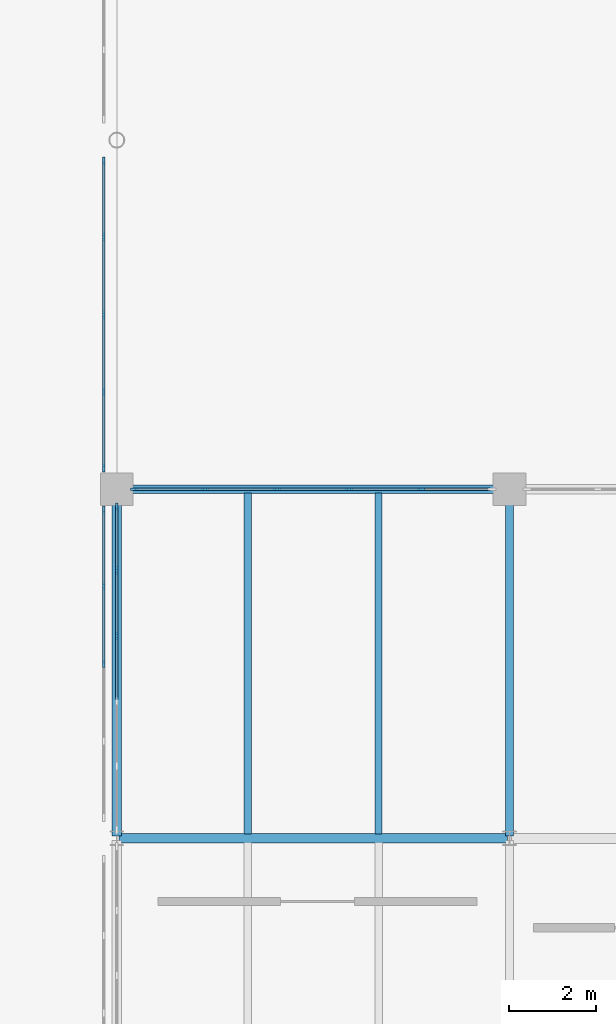
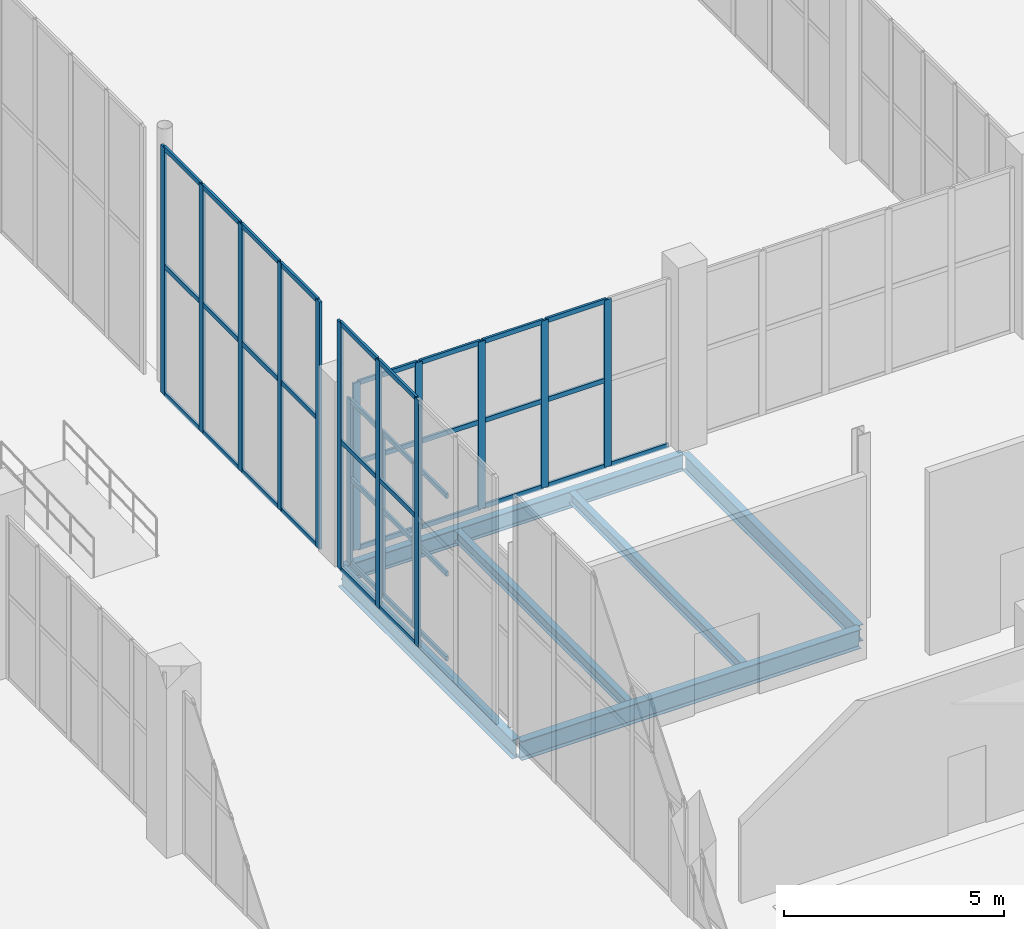
# One storey, part 45 of 103: 56 members, 6 beams, 4 elements without a shape of their own.
"""IFC4 building model written with IfcOpenShell, lengths in metres."""

from ifc_helpers import new_model, si_unit, direction, frame, origin, origin_2d, place, context, subcontext, project, spatial, rectangle, i_section, extrude, material, layer, layer_set, material_profile, profile_set, type_object, element, aggregate, save


model = new_model("IFC4")

# Units and contexts
model_context = context("Model", 3, precision=1e-05, world=origin(), true_north=direction((0.0, 1.0)))
body_context = subcontext(model_context, "Body", "Model", "MODEL_VIEW")
ifc_project = project(units=[si_unit("LENGTHUNIT", "METRE"), si_unit("AREAUNIT", "SQUARE_METRE"), si_unit("VOLUMEUNIT", "CUBIC_METRE"), si_unit("PLANEANGLEUNIT", "RADIAN"), si_unit("MASSUNIT", "GRAM", prefix="KILO")], contexts=[model_context])

# Site, building, storey
site_placement = place(None, origin())
site = spatial("IfcSite", under=ifc_project, at=site_placement, CompositionType="ELEMENT")
building_placement = place(site_placement, origin())
building = spatial("IfcBuilding", under=site, at=building_placement, Name="Marnock Terrace Opera House", CompositionType="ELEMENT")
storey_placement = place(building_placement, origin())
storey = spatial("IfcBuildingStorey", under=building, at=storey_placement, Name="L00", CompositionType="ELEMENT", Elevation=0.0)

# Beams
ifc_material_1 = material(Name="Steel Grade 350 (AS/NZS 3679.1)", Category="steel")
ifc_material_profile_1 = material_profile(ifc_material_1, i_section(OverallWidth=0.19091796875, OverallDepth=0.46044921875, WebThickness=0.010009765625, FlangeThickness=0.01611328125, FilletRadius=0.011474609375, at=origin_2d()))
ifc_profile_set_1 = profile_set([ifc_material_profile_1], Name="Steel Grade 350 (AS/NZS 3679.1)")
beam_type_1 = type_object("IfcBeamType", Name="BM-GIRD-460A", PredefinedType="BEAM", material=ifc_profile_set_1)
beam_1_placement = place(storey_placement, frame((118.050048828125, 40.0, -0.5302734375), z_axis=(1.0, 0.0, 0.0), x_axis=(0.0, 1.0, 0.0)))
element("IfcBeam", 1, at=beam_1_placement, inside=storey, type_object=beam_type_1, Name="L00 girder (118.0..127.0, Y=40.0)", PredefinedType="BEAM", context=body_context, shape_type="SweptSolid", body=[
    extrude(i_section(OverallWidth=0.19091796875, OverallDepth=0.46044921875, WebThickness=0.010009765625, FlangeThickness=0.01611328125, FilletRadius=0.011474609375, at=origin_2d()), origin(), (0.0, 0.0, 1.0), 8.89990234375),
])
ifc_material_profile_2 = material_profile(ifc_material_1, i_section(OverallWidth=0.18994140625, OverallDepth=0.45751953125, WebThickness=0.009033203125, FlangeThickness=0.014404296875, FilletRadius=0.011474609375, at=origin_2d()))
ifc_profile_set_2 = profile_set([ifc_material_profile_2], Name="Steel Grade 350 (AS/NZS 3679.1)")
beam_type_2 = type_object("IfcBeamType", Name="BM-GIRD-460B", PredefinedType="BEAM", material=ifc_profile_set_2)
beam_2_placement = place(storey_placement, frame((127.0, 32.050048828125, -0.52880859375), z_axis=(0.0, 1.0, 0.0), x_axis=(-1.0, 0.0, 0.0)))
element("IfcBeam", 2, at=beam_2_placement, inside=storey, type_object=beam_type_2, Name="L00 girder (X=127.0, 32.0..40.0)", PredefinedType="BEAM", context=body_context, shape_type="SweptSolid", body=[
    extrude(i_section(OverallWidth=0.18994140625, OverallDepth=0.45751953125, WebThickness=0.009033203125, FlangeThickness=0.014404296875, FilletRadius=0.011474609375, at=origin_2d()), origin(), (0.0, 0.0, 1.0), 7.89990234375),
])
ifc_material_profile_3 = material_profile(ifc_material_1, i_section(OverallWidth=0.208984375, OverallDepth=0.532958984375, WebThickness=0.01025390625, FlangeThickness=0.015625, FilletRadius=0.013916015625, at=origin_2d()))
ifc_profile_set_3 = profile_set([ifc_material_profile_3], Name="Steel Grade 350 (AS/NZS 3679.1)")
beam_type_3 = type_object("IfcBeamType", Name="BM-GIRD-530A", PredefinedType="BEAM", material=ifc_profile_set_3)
beam_3_placement = place(storey_placement, frame((118.050048828125, 32.0, -0.56640625), z_axis=(1.0, 0.0, 0.0), x_axis=(0.0, 1.0, 0.0)))
element("IfcBeam", 3, at=beam_3_placement, inside=storey, type_object=beam_type_3, Name="L00 girder (118.0..127.0, Y=32.0)", PredefinedType="BEAM", context=body_context, shape_type="SweptSolid", body=[
    extrude(i_section(OverallWidth=0.208984375, OverallDepth=0.532958984375, WebThickness=0.01025390625, FlangeThickness=0.015625, FilletRadius=0.013916015625, at=origin_2d()), origin(), (0.0, 0.0, 1.0), 8.89990234375),
])
ifc_material_profile_4 = material_profile(ifc_material_1, i_section(OverallWidth=0.208984375, OverallDepth=0.528076171875, WebThickness=0.009521484375, FlangeThickness=0.01318359375, FilletRadius=0.013916015625, at=origin_2d()))
ifc_profile_set_4 = profile_set([ifc_material_profile_4], Name="Steel Grade 350 (AS/NZS 3679.1)")
beam_type_4 = type_object("IfcBeamType", Name="BM-GIRD-530B", PredefinedType="BEAM", material=ifc_profile_set_4)
beam_4_placement = place(storey_placement, frame((118.0, 32.050048828125, -0.56396484375), z_axis=(0.0, 1.0, 0.0), x_axis=(-1.0, 0.0, 0.0)))
element("IfcBeam", 4, at=beam_4_placement, inside=storey, type_object=beam_type_4, Name="L00 girder (X=118.0, 32.0..40.0)", PredefinedType="BEAM", context=body_context, shape_type="SweptSolid", body=[
    extrude(i_section(OverallWidth=0.208984375, OverallDepth=0.528076171875, WebThickness=0.009521484375, FlangeThickness=0.01318359375, FilletRadius=0.013916015625, at=origin_2d()), origin(), (0.0, 0.0, 1.0), 7.89990234375),
])
ifc_material_profile_5 = material_profile(ifc_material_1, i_section(OverallWidth=0.166015625, OverallDepth=0.30712890625, WebThickness=0.006591796875, FlangeThickness=0.01171875, FilletRadius=0.011474609375, at=origin_2d()))
ifc_profile_set_5 = profile_set([ifc_material_profile_5], Name="Steel Grade 350 (AS/NZS 3679.1)")
beam_type_5 = type_object("IfcBeamType", Name="BM-JOIST-310A", PredefinedType="JOIST", material=ifc_profile_set_5)
for number, where, z_axis, x_axis, name in (
    (5, (121.0, 32.099609375, -0.45361328125), (0.0, 1.0, 0.0), (-1.0, 0.0, 0.0), "L00 secondary joist 13.4.1"),
    (6, (124.0, 32.099609375, -0.45361328125), (0.0, 1.0, 0.0), (-1.0, 0.0, 0.0), "L00 secondary joist 13.4.2"),
):
    element("IfcBeam", number, at=place(storey_placement, frame(where, z_axis=z_axis, x_axis=x_axis)), inside=storey, type_object=beam_type_5, Name=name, PredefinedType="JOIST", context=body_context, shape_type="SweptSolid", body=[
        extrude(i_section(OverallWidth=0.166015625, OverallDepth=0.30712890625, WebThickness=0.006591796875, FlangeThickness=0.01171875, FilletRadius=0.011474609375, at=origin_2d()), origin(), (0.0, 0.0, 1.0), 7.809814453125),
    ])

# Curtain wall, members
ifc_material_2 = material(Name="Anodised architectural bronze aluminium framing", Category="aluminium")
ifc_layer_1 = layer(ifc_material_2, 0.159912109375)
ifc_layer_set_1 = layer_set([ifc_layer_1], Name="Anodised architectural bronze aluminium framing")
curtain_wall_type_1 = type_object("IfcCurtainWallType", Name="CW-LOGGIA-86x51", PredefinedType="NOTDEFINED", material=ifc_layer_set_1)
curtain_wall_1_placement = place(storey_placement, origin())
curtain_wall_1 = element("IfcCurtainWall", 7, at=curtain_wall_1_placement, inside=storey, type_object=curtain_wall_type_1, Name="L00 glazed Beaux-Arts colonnade curtain wall CW-V5-L00-W4", PredefinedType="NOTDEFINED")
ifc_material_profile_6 = material_profile(ifc_material_2, rectangle(XDim=0.06494140625, YDim=0.179931640625, at=origin_2d()))
ifc_profile_set_6 = profile_set([ifc_material_profile_6], Name="Anodised architectural bronze aluminium framing")
member_type_1 = type_object("IfcMemberType", Name="CWM-65x180", PredefinedType="MULLION", material=ifc_profile_set_6)
member_1_placement = place(storey_placement, frame((118.0, 36.641357421875, 0.0), z_axis=(0.0, 0.0, 1.0), x_axis=(-1.0, 0.0, 0.0)))
member_1 = element("IfcMember", 8, at=member_1_placement, type_object=member_type_1, Name="CW-96 mullion 4", PredefinedType="MULLION", context=body_context, shape_type="SweptSolid", body=[
    extrude(rectangle(XDim=0.06494140625, YDim=0.179931640625, at=origin_2d()), origin(), (0.0, 0.0, 1.0), 4.56201171875),
])
member_2_placement = place(storey_placement, frame((118.0, 38.135009765625, 0.0), z_axis=(0.0, 0.0, 1.0), x_axis=(-1.0, 0.0, 0.0)))
member_2 = element("IfcMember", 9, at=member_2_placement, type_object=member_type_1, Name="CW-96 mullion 5", PredefinedType="MULLION", context=body_context, shape_type="SweptSolid", body=[
    extrude(rectangle(XDim=0.06494140625, YDim=0.179931640625, at=origin_2d()), origin(), (0.0, 0.0, 1.0), 4.56201171875),
])
member_3_placement = place(storey_placement, frame((118.0, 39.59912109375, 0.0), z_axis=(0.0, 0.0, 1.0), x_axis=(-1.0, 0.0, 0.0)))
member_3 = element("IfcMember", 10, at=member_3_placement, type_object=member_type_1, Name="CW-96 mullion 6", PredefinedType="MULLION", context=body_context, shape_type="SweptSolid", body=[
    extrude(rectangle(XDim=0.06494140625, YDim=0.179931640625, at=origin_2d()), origin(), (0.0, 0.0, 1.0), 4.56201171875),
])

curtain_wall_2_placement = place(storey_placement, origin())
curtain_wall_2 = element("IfcCurtainWall", 11, at=curtain_wall_2_placement, inside=storey, type_object=curtain_wall_type_1, Name="L00 glazed Beaux-Arts colonnade curtain wall CW-V5-L00-CS1", PredefinedType="NOTDEFINED")
member_4_placement = place(storey_placement, frame((118.40087890625, 40.0, 0.0), z_axis=(0.0, 0.0, 1.0), x_axis=(0.0, 1.0, 0.0)))
member_4 = element("IfcMember", 12, at=member_4_placement, type_object=member_type_1, Name="CW-96 mullion 1", PredefinedType="MULLION", context=body_context, shape_type="SweptSolid", body=[
    extrude(rectangle(XDim=0.06494140625, YDim=0.179931640625, at=origin_2d()), origin(), (0.0, 0.0, 1.0), 4.629638671875),
])
member_5_placement = place(storey_placement, frame((120.022705078125, 40.0, 0.0), z_axis=(0.0, 0.0, 1.0), x_axis=(0.0, 1.0, 0.0)))
member_5 = element("IfcMember", 13, at=member_5_placement, type_object=member_type_1, Name="CW-96 mullion 2", PredefinedType="MULLION", context=body_context, shape_type="SweptSolid", body=[
    extrude(rectangle(XDim=0.06494140625, YDim=0.179931640625, at=origin_2d()), origin(), (0.0, 0.0, 1.0), 4.629638671875),
])
member_6_placement = place(storey_placement, frame((121.67431640625, 40.0, 0.0), z_axis=(0.0, 0.0, 1.0), x_axis=(0.0, 1.0, 0.0)))
member_6 = element("IfcMember", 14, at=member_6_placement, type_object=member_type_1, Name="CW-96 mullion 3", PredefinedType="MULLION", context=body_context, shape_type="SweptSolid", body=[
    extrude(rectangle(XDim=0.06494140625, YDim=0.179931640625, at=origin_2d()), origin(), (0.0, 0.0, 1.0), 4.629638671875),
])
member_7_placement = place(storey_placement, frame((123.32568359375, 40.0, 0.0), z_axis=(0.0, 0.0, 1.0), x_axis=(0.0, 1.0, 0.0)))
member_7 = element("IfcMember", 15, at=member_7_placement, type_object=member_type_1, Name="CW-96 mullion 4", PredefinedType="MULLION", context=body_context, shape_type="SweptSolid", body=[
    extrude(rectangle(XDim=0.06494140625, YDim=0.179931640625, at=origin_2d()), origin(), (0.0, 0.0, 1.0), 4.629638671875),
])
member_8_placement = place(storey_placement, frame((124.977294921875, 40.0, 0.0), z_axis=(0.0, 0.0, 1.0), x_axis=(0.0, 1.0, 0.0)))
member_8 = element("IfcMember", 16, at=member_8_placement, type_object=member_type_1, Name="CW-96 mullion 5", PredefinedType="MULLION", context=body_context, shape_type="SweptSolid", body=[
    extrude(rectangle(XDim=0.06494140625, YDim=0.179931640625, at=origin_2d()), origin(), (0.0, 0.0, 1.0), 4.629638671875),
])

ifc_layer_2 = layer(ifc_material_2, 0.159912109375)
ifc_layer_set_2 = layer_set([ifc_layer_2], Name="Anodised architectural bronze aluminium framing")
curtain_wall_type_2 = type_object("IfcCurtainWallType", Name="CW-PASSAGE-71x68", PredefinedType="NOTDEFINED", material=ifc_layer_set_2)
curtain_wall_3_placement = place(storey_placement, origin())
curtain_wall_3 = element("IfcCurtainWall", 17, at=curtain_wall_3_placement, inside=storey, type_object=curtain_wall_type_2, Name="L00 glazed Beaux-Arts colonnade curtain wall CW-PASSAGE-L00-04", PredefinedType="NOTDEFINED")
member_9_placement = place(storey_placement, frame((117.699951171875, 36.0, 0.0), z_axis=(0.0, 0.0, 1.0), x_axis=(-1.0, 0.0, 0.0)))
member_9 = element("IfcMember", 18, at=member_9_placement, type_object=member_type_1, Name="CW-33 mullion 3", PredefinedType="MULLION", context=body_context, shape_type="SweptSolid", body=[
    extrude(rectangle(XDim=0.06494140625, YDim=0.179931640625, at=origin_2d()), origin(), (0.0, 0.0, 1.0), 6.85009765625),
])
member_10_placement = place(storey_placement, frame((117.699951171875, 37.77490234375, 0.0), z_axis=(0.0, 0.0, 1.0), x_axis=(-1.0, 0.0, 0.0)))
member_10 = element("IfcMember", 19, at=member_10_placement, type_object=member_type_1, Name="CW-33 mullion 4", PredefinedType="MULLION", context=body_context, shape_type="SweptSolid", body=[
    extrude(rectangle(XDim=0.06494140625, YDim=0.179931640625, at=origin_2d()), origin(), (0.0, 0.0, 1.0), 6.85009765625),
])
member_11_placement = place(storey_placement, frame((117.699951171875, 39.52001953125, 0.0), z_axis=(0.0, 0.0, 1.0), x_axis=(-1.0, 0.0, 0.0)))
member_11 = element("IfcMember", 20, at=member_11_placement, type_object=member_type_1, Name="CW-33 mullion 5", PredefinedType="MULLION", context=body_context, shape_type="SweptSolid", body=[
    extrude(rectangle(XDim=0.06494140625, YDim=0.179931640625, at=origin_2d()), origin(), (0.0, 0.0, 1.0), 6.85009765625),
])

curtain_wall_4_placement = place(storey_placement, origin())
curtain_wall_4 = element("IfcCurtainWall", 21, at=curtain_wall_4_placement, inside=storey, type_object=curtain_wall_type_2, Name="L00 glazed Beaux-Arts colonnade curtain wall CW-PASSAGE-L00-05", PredefinedType="NOTDEFINED")
member_12_placement = place(storey_placement, frame((117.699951171875, 40.47998046875, 0.0), z_axis=(0.0, 0.0, 1.0), x_axis=(-1.0, 0.0, 0.0)))
member_12 = element("IfcMember", 22, at=member_12_placement, type_object=member_type_1, Name="CW-33 mullion 1", PredefinedType="MULLION", context=body_context, shape_type="SweptSolid", body=[
    extrude(rectangle(XDim=0.06494140625, YDim=0.179931640625, at=origin_2d()), origin(), (0.0, 0.0, 1.0), 6.85009765625),
])
member_13_placement = place(storey_placement, frame((117.699951171875, 42.22509765625, 0.0), z_axis=(0.0, 0.0, 1.0), x_axis=(-1.0, 0.0, 0.0)))
member_13 = element("IfcMember", 23, at=member_13_placement, type_object=member_type_1, Name="CW-33 mullion 2", PredefinedType="MULLION", context=body_context, shape_type="SweptSolid", body=[
    extrude(rectangle(XDim=0.06494140625, YDim=0.179931640625, at=origin_2d()), origin(), (0.0, 0.0, 1.0), 6.85009765625),
])
member_14_placement = place(storey_placement, frame((117.699951171875, 44.0, 0.0), z_axis=(0.0, 0.0, 1.0), x_axis=(-1.0, 0.0, 0.0)))
member_14 = element("IfcMember", 24, at=member_14_placement, type_object=member_type_1, Name="CW-33 mullion 3", PredefinedType="MULLION", context=body_context, shape_type="SweptSolid", body=[
    extrude(rectangle(XDim=0.06494140625, YDim=0.179931640625, at=origin_2d()), origin(), (0.0, 0.0, 1.0), 6.85009765625),
])
member_15_placement = place(storey_placement, frame((117.699951171875, 45.77490234375, 0.0), z_axis=(0.0, 0.0, 1.0), x_axis=(-1.0, 0.0, 0.0)))
member_15 = element("IfcMember", 25, at=member_15_placement, type_object=member_type_1, Name="CW-33 mullion 4", PredefinedType="MULLION", context=body_context, shape_type="SweptSolid", body=[
    extrude(rectangle(XDim=0.06494140625, YDim=0.179931640625, at=origin_2d()), origin(), (0.0, 0.0, 1.0), 6.85009765625),
])
member_16_placement = place(storey_placement, frame((117.699951171875, 47.52001953125, 0.0), z_axis=(0.0, 0.0, 1.0), x_axis=(-1.0, 0.0, 0.0)))
member_16 = element("IfcMember", 26, at=member_16_placement, type_object=member_type_1, Name="CW-33 mullion 5", PredefinedType="MULLION", context=body_context, shape_type="SweptSolid", body=[
    extrude(rectangle(XDim=0.06494140625, YDim=0.179931640625, at=origin_2d()), origin(), (0.0, 0.0, 1.0), 6.85009765625),
])

# Member
ifc_material_profile_7 = material_profile(ifc_material_2, rectangle(XDim=0.06005859375, YDim=0.1298828125, at=origin_2d()))
ifc_profile_set_7 = profile_set([ifc_material_profile_7], Name="Anodised architectural bronze aluminium framing")
member_type_2 = type_object("IfcMemberType", Name="CWT-60x130", PredefinedType="USERDEFINED", material=ifc_profile_set_7)
member_17_placement = place(storey_placement, frame((118.0, 35.17724609375, 0.030029296875), z_axis=(0.0, 1.0, 0.0), x_axis=(-1.0, 0.0, 0.0)))
member_17 = element("IfcMember", 27, at=member_17_placement, type_object=member_type_2, Name="CW-96 transom 3.1", ObjectType="TRANSOM", PredefinedType="USERDEFINED", context=body_context, shape_type="SweptSolid", body=[
    extrude(rectangle(XDim=0.06005859375, YDim=0.1298828125, at=origin_2d()), origin(), (0.0, 0.0, 1.0), 1.43408203125),
])

member_18_placement = place(storey_placement, frame((118.0, 35.17724609375, 2.372314453125), z_axis=(0.0, 1.0, 0.0), x_axis=(-1.0, 0.0, 0.0)))
member_18 = element("IfcMember", 28, at=member_18_placement, type_object=member_type_2, Name="CW-96 transom 3.2", ObjectType="TRANSOM", PredefinedType="USERDEFINED", context=body_context, shape_type="SweptSolid", body=[
    extrude(rectangle(XDim=0.06005859375, YDim=0.1298828125, at=origin_2d()), origin(), (0.0, 0.0, 1.0), 1.43408203125),
])

member_19_placement = place(storey_placement, frame((118.0, 35.17724609375, 4.531982421875), z_axis=(0.0, 1.0, 0.0), x_axis=(-1.0, 0.0, 0.0)))
member_19 = element("IfcMember", 29, at=member_19_placement, type_object=member_type_2, Name="CW-96 transom 3.3", ObjectType="TRANSOM", PredefinedType="USERDEFINED", context=body_context, shape_type="SweptSolid", body=[
    extrude(rectangle(XDim=0.06005859375, YDim=0.1298828125, at=origin_2d()), origin(), (0.0, 0.0, 1.0), 1.43408203125),
])

member_20_placement = place(storey_placement, frame((118.0, 36.671142578125, 0.030029296875), z_axis=(0.0, 1.0, 0.0), x_axis=(-1.0, 0.0, 0.0)))
member_20 = element("IfcMember", 30, at=member_20_placement, type_object=member_type_2, Name="CW-96 transom 4.1", ObjectType="TRANSOM", PredefinedType="USERDEFINED", context=body_context, shape_type="SweptSolid", body=[
    extrude(rectangle(XDim=0.06005859375, YDim=0.1298828125, at=origin_2d()), origin(), (0.0, 0.0, 1.0), 1.43408203125),
])

member_21_placement = place(storey_placement, frame((118.0, 36.671142578125, 2.372314453125), z_axis=(0.0, 1.0, 0.0), x_axis=(-1.0, 0.0, 0.0)))
member_21 = element("IfcMember", 31, at=member_21_placement, type_object=member_type_2, Name="CW-96 transom 4.2", ObjectType="TRANSOM", PredefinedType="USERDEFINED", context=body_context, shape_type="SweptSolid", body=[
    extrude(rectangle(XDim=0.06005859375, YDim=0.1298828125, at=origin_2d()), origin(), (0.0, 0.0, 1.0), 1.43408203125),
])

member_22_placement = place(storey_placement, frame((118.0, 36.671142578125, 4.531982421875), z_axis=(0.0, 1.0, 0.0), x_axis=(-1.0, 0.0, 0.0)))
member_22 = element("IfcMember", 32, at=member_22_placement, type_object=member_type_2, Name="CW-96 transom 4.3", ObjectType="TRANSOM", PredefinedType="USERDEFINED", context=body_context, shape_type="SweptSolid", body=[
    extrude(rectangle(XDim=0.06005859375, YDim=0.1298828125, at=origin_2d()), origin(), (0.0, 0.0, 1.0), 1.43408203125),
])

member_23_placement = place(storey_placement, frame((118.0, 38.1650390625, 0.030029296875), z_axis=(0.0, 1.0, 0.0), x_axis=(-1.0, 0.0, 0.0)))
member_23 = element("IfcMember", 33, at=member_23_placement, type_object=member_type_2, Name="CW-96 transom 5.1", ObjectType="TRANSOM", PredefinedType="USERDEFINED", context=body_context, shape_type="SweptSolid", body=[
    extrude(rectangle(XDim=0.06005859375, YDim=0.1298828125, at=origin_2d()), origin(), (0.0, 0.0, 1.0), 1.404052734375),
])

member_24_placement = place(storey_placement, frame((118.0, 38.1650390625, 2.372314453125), z_axis=(0.0, 1.0, 0.0), x_axis=(-1.0, 0.0, 0.0)))
member_24 = element("IfcMember", 34, at=member_24_placement, type_object=member_type_2, Name="CW-96 transom 5.2", ObjectType="TRANSOM", PredefinedType="USERDEFINED", context=body_context, shape_type="SweptSolid", body=[
    extrude(rectangle(XDim=0.06005859375, YDim=0.1298828125, at=origin_2d()), origin(), (0.0, 0.0, 1.0), 1.404052734375),
])

member_25_placement = place(storey_placement, frame((118.0, 38.1650390625, 4.531982421875), z_axis=(0.0, 1.0, 0.0), x_axis=(-1.0, 0.0, 0.0)))
member_25 = element("IfcMember", 35, at=member_25_placement, type_object=member_type_2, Name="CW-96 transom 5.3", ObjectType="TRANSOM", PredefinedType="USERDEFINED", context=body_context, shape_type="SweptSolid", body=[
    extrude(rectangle(XDim=0.06005859375, YDim=0.1298828125, at=origin_2d()), origin(), (0.0, 0.0, 1.0), 1.404052734375),
])

aggregate(curtain_wall_1, [member_1, member_2, member_3, member_17, member_18, member_19, member_20, member_21, member_22, member_23, member_24, member_25])

member_26_placement = place(storey_placement, frame((118.430908203125, 40.0, 0.030029296875), z_axis=(1.0, 0.0, 0.0), x_axis=(0.0, 1.0, 0.0)))
member_26 = element("IfcMember", 36, at=member_26_placement, type_object=member_type_2, Name="CW-96 transom 1.1", ObjectType="TRANSOM", PredefinedType="USERDEFINED", context=body_context, shape_type="SweptSolid", body=[
    extrude(rectangle(XDim=0.06005859375, YDim=0.1298828125, at=origin_2d()), origin(), (0.0, 0.0, 1.0), 1.561767578125),
])

member_27_placement = place(storey_placement, frame((118.430908203125, 40.0, 2.407470703125), z_axis=(1.0, 0.0, 0.0), x_axis=(0.0, 1.0, 0.0)))
member_27 = element("IfcMember", 37, at=member_27_placement, type_object=member_type_2, Name="CW-96 transom 1.2", ObjectType="TRANSOM", PredefinedType="USERDEFINED", context=body_context, shape_type="SweptSolid", body=[
    extrude(rectangle(XDim=0.06005859375, YDim=0.1298828125, at=origin_2d()), origin(), (0.0, 0.0, 1.0), 1.561767578125),
])

member_28_placement = place(storey_placement, frame((118.430908203125, 40.0, 4.599609375), z_axis=(1.0, 0.0, 0.0), x_axis=(0.0, 1.0, 0.0)))
member_28 = element("IfcMember", 38, at=member_28_placement, type_object=member_type_2, Name="CW-96 transom 1.3", ObjectType="TRANSOM", PredefinedType="USERDEFINED", context=body_context, shape_type="SweptSolid", body=[
    extrude(rectangle(XDim=0.06005859375, YDim=0.1298828125, at=origin_2d()), origin(), (0.0, 0.0, 1.0), 1.561767578125),
])

member_29_placement = place(storey_placement, frame((120.052490234375, 40.0, 0.030029296875), z_axis=(1.0, 0.0, 0.0), x_axis=(0.0, 1.0, 0.0)))
member_29 = element("IfcMember", 39, at=member_29_placement, type_object=member_type_2, Name="CW-96 transom 2.1", ObjectType="TRANSOM", PredefinedType="USERDEFINED", context=body_context, shape_type="SweptSolid", body=[
    extrude(rectangle(XDim=0.06005859375, YDim=0.1298828125, at=origin_2d()), origin(), (0.0, 0.0, 1.0), 1.591796875),
])

member_30_placement = place(storey_placement, frame((120.052490234375, 40.0, 2.407470703125), z_axis=(1.0, 0.0, 0.0), x_axis=(0.0, 1.0, 0.0)))
member_30 = element("IfcMember", 40, at=member_30_placement, type_object=member_type_2, Name="CW-96 transom 2.2", ObjectType="TRANSOM", PredefinedType="USERDEFINED", context=body_context, shape_type="SweptSolid", body=[
    extrude(rectangle(XDim=0.06005859375, YDim=0.1298828125, at=origin_2d()), origin(), (0.0, 0.0, 1.0), 1.591796875),
])

member_31_placement = place(storey_placement, frame((120.052490234375, 40.0, 4.599609375), z_axis=(1.0, 0.0, 0.0), x_axis=(0.0, 1.0, 0.0)))
member_31 = element("IfcMember", 41, at=member_31_placement, type_object=member_type_2, Name="CW-96 transom 2.3", ObjectType="TRANSOM", PredefinedType="USERDEFINED", context=body_context, shape_type="SweptSolid", body=[
    extrude(rectangle(XDim=0.06005859375, YDim=0.1298828125, at=origin_2d()), origin(), (0.0, 0.0, 1.0), 1.591796875),
])

member_32_placement = place(storey_placement, frame((121.7041015625, 40.0, 0.030029296875), z_axis=(1.0, 0.0, 0.0), x_axis=(0.0, 1.0, 0.0)))
member_32 = element("IfcMember", 42, at=member_32_placement, type_object=member_type_2, Name="CW-96 transom 3.1", ObjectType="TRANSOM", PredefinedType="USERDEFINED", context=body_context, shape_type="SweptSolid", body=[
    extrude(rectangle(XDim=0.06005859375, YDim=0.1298828125, at=origin_2d()), origin(), (0.0, 0.0, 1.0), 1.591796875),
])

member_33_placement = place(storey_placement, frame((121.7041015625, 40.0, 2.407470703125), z_axis=(1.0, 0.0, 0.0), x_axis=(0.0, 1.0, 0.0)))
member_33 = element("IfcMember", 43, at=member_33_placement, type_object=member_type_2, Name="CW-96 transom 3.2", ObjectType="TRANSOM", PredefinedType="USERDEFINED", context=body_context, shape_type="SweptSolid", body=[
    extrude(rectangle(XDim=0.06005859375, YDim=0.1298828125, at=origin_2d()), origin(), (0.0, 0.0, 1.0), 1.591796875),
])

member_34_placement = place(storey_placement, frame((121.7041015625, 40.0, 4.599609375), z_axis=(1.0, 0.0, 0.0), x_axis=(0.0, 1.0, 0.0)))
member_34 = element("IfcMember", 44, at=member_34_placement, type_object=member_type_2, Name="CW-96 transom 3.3", ObjectType="TRANSOM", PredefinedType="USERDEFINED", context=body_context, shape_type="SweptSolid", body=[
    extrude(rectangle(XDim=0.06005859375, YDim=0.1298828125, at=origin_2d()), origin(), (0.0, 0.0, 1.0), 1.591796875),
])

member_35_placement = place(storey_placement, frame((123.355712890625, 40.0, 0.030029296875), z_axis=(1.0, 0.0, 0.0), x_axis=(0.0, 1.0, 0.0)))
member_35 = element("IfcMember", 45, at=member_35_placement, type_object=member_type_2, Name="CW-96 transom 4.1", ObjectType="TRANSOM", PredefinedType="USERDEFINED", context=body_context, shape_type="SweptSolid", body=[
    extrude(rectangle(XDim=0.06005859375, YDim=0.1298828125, at=origin_2d()), origin(), (0.0, 0.0, 1.0), 1.591796875),
])

member_36_placement = place(storey_placement, frame((123.355712890625, 40.0, 2.407470703125), z_axis=(1.0, 0.0, 0.0), x_axis=(0.0, 1.0, 0.0)))
member_36 = element("IfcMember", 46, at=member_36_placement, type_object=member_type_2, Name="CW-96 transom 4.2", ObjectType="TRANSOM", PredefinedType="USERDEFINED", context=body_context, shape_type="SweptSolid", body=[
    extrude(rectangle(XDim=0.06005859375, YDim=0.1298828125, at=origin_2d()), origin(), (0.0, 0.0, 1.0), 1.591796875),
])

member_37_placement = place(storey_placement, frame((123.355712890625, 40.0, 4.599609375), z_axis=(1.0, 0.0, 0.0), x_axis=(0.0, 1.0, 0.0)))
member_37 = element("IfcMember", 47, at=member_37_placement, type_object=member_type_2, Name="CW-96 transom 4.3", ObjectType="TRANSOM", PredefinedType="USERDEFINED", context=body_context, shape_type="SweptSolid", body=[
    extrude(rectangle(XDim=0.06005859375, YDim=0.1298828125, at=origin_2d()), origin(), (0.0, 0.0, 1.0), 1.591796875),
])

member_38_placement = place(storey_placement, frame((125.00732421875, 40.0, 0.030029296875), z_axis=(1.0, 0.0, 0.0), x_axis=(0.0, 1.0, 0.0)))
member_38 = element("IfcMember", 48, at=member_38_placement, type_object=member_type_2, Name="CW-96 transom 5.1", ObjectType="TRANSOM", PredefinedType="USERDEFINED", context=body_context, shape_type="SweptSolid", body=[
    extrude(rectangle(XDim=0.06005859375, YDim=0.1298828125, at=origin_2d()), origin(), (0.0, 0.0, 1.0), 1.561767578125),
])

aggregate(curtain_wall_2, [member_4, member_5, member_6, member_7, member_8, member_26, member_27, member_28, member_29, member_30, member_31, member_32, member_33, member_34, member_35, member_36, member_37, member_38])

member_39_placement = place(storey_placement, frame((117.699951171875, 36.030029296875, 0.030029296875), z_axis=(0.0, 1.0, 0.0), x_axis=(-1.0, 0.0, 0.0)))
member_39 = element("IfcMember", 49, at=member_39_placement, type_object=member_type_2, Name="CW-33 transom 3.1", ObjectType="TRANSOM", PredefinedType="USERDEFINED", context=body_context, shape_type="SweptSolid", body=[
    extrude(rectangle(XDim=0.06005859375, YDim=0.1298828125, at=origin_2d()), origin(), (0.0, 0.0, 1.0), 1.715087890625),
])

member_40_placement = place(storey_placement, frame((117.699951171875, 36.030029296875, 3.56201171875), z_axis=(0.0, 1.0, 0.0), x_axis=(-1.0, 0.0, 0.0)))
member_40 = element("IfcMember", 50, at=member_40_placement, type_object=member_type_2, Name="CW-33 transom 3.2", ObjectType="TRANSOM", PredefinedType="USERDEFINED", context=body_context, shape_type="SweptSolid", body=[
    extrude(rectangle(XDim=0.06005859375, YDim=0.1298828125, at=origin_2d()), origin(), (0.0, 0.0, 1.0), 1.715087890625),
])

member_41_placement = place(storey_placement, frame((117.699951171875, 36.030029296875, 6.820068359375), z_axis=(0.0, 1.0, 0.0), x_axis=(-1.0, 0.0, 0.0)))
member_41 = element("IfcMember", 51, at=member_41_placement, type_object=member_type_2, Name="CW-33 transom 3.3", ObjectType="TRANSOM", PredefinedType="USERDEFINED", context=body_context, shape_type="SweptSolid", body=[
    extrude(rectangle(XDim=0.06005859375, YDim=0.1298828125, at=origin_2d()), origin(), (0.0, 0.0, 1.0), 1.715087890625),
])

member_42_placement = place(storey_placement, frame((117.699951171875, 37.804931640625, 0.030029296875), z_axis=(0.0, 1.0, 0.0), x_axis=(-1.0, 0.0, 0.0)))
member_42 = element("IfcMember", 52, at=member_42_placement, type_object=member_type_2, Name="CW-33 transom 4.1", ObjectType="TRANSOM", PredefinedType="USERDEFINED", context=body_context, shape_type="SweptSolid", body=[
    extrude(rectangle(XDim=0.06005859375, YDim=0.1298828125, at=origin_2d()), origin(), (0.0, 0.0, 1.0), 1.68505859375),
])

member_43_placement = place(storey_placement, frame((117.699951171875, 37.804931640625, 3.56201171875), z_axis=(0.0, 1.0, 0.0), x_axis=(-1.0, 0.0, 0.0)))
member_43 = element("IfcMember", 53, at=member_43_placement, type_object=member_type_2, Name="CW-33 transom 4.2", ObjectType="TRANSOM", PredefinedType="USERDEFINED", context=body_context, shape_type="SweptSolid", body=[
    extrude(rectangle(XDim=0.06005859375, YDim=0.1298828125, at=origin_2d()), origin(), (0.0, 0.0, 1.0), 1.68505859375),
])

member_44_placement = place(storey_placement, frame((117.699951171875, 37.804931640625, 6.820068359375), z_axis=(0.0, 1.0, 0.0), x_axis=(-1.0, 0.0, 0.0)))
member_44 = element("IfcMember", 54, at=member_44_placement, type_object=member_type_2, Name="CW-33 transom 4.3", ObjectType="TRANSOM", PredefinedType="USERDEFINED", context=body_context, shape_type="SweptSolid", body=[
    extrude(rectangle(XDim=0.06005859375, YDim=0.1298828125, at=origin_2d()), origin(), (0.0, 0.0, 1.0), 1.68505859375),
])

aggregate(curtain_wall_3, [member_9, member_10, member_11, member_39, member_40, member_41, member_42, member_43, member_44])

member_45_placement = place(storey_placement, frame((117.699951171875, 40.510009765625, 0.030029296875), z_axis=(0.0, 1.0, 0.0), x_axis=(-1.0, 0.0, 0.0)))
member_45 = element("IfcMember", 55, at=member_45_placement, type_object=member_type_2, Name="CW-33 transom 1.1", ObjectType="TRANSOM", PredefinedType="USERDEFINED", context=body_context, shape_type="SweptSolid", body=[
    extrude(rectangle(XDim=0.06005859375, YDim=0.1298828125, at=origin_2d()), origin(), (0.0, 0.0, 1.0), 1.68505859375),
])

member_46_placement = place(storey_placement, frame((117.699951171875, 40.510009765625, 3.56201171875), z_axis=(0.0, 1.0, 0.0), x_axis=(-1.0, 0.0, 0.0)))
member_46 = element("IfcMember", 56, at=member_46_placement, type_object=member_type_2, Name="CW-33 transom 1.2", ObjectType="TRANSOM", PredefinedType="USERDEFINED", context=body_context, shape_type="SweptSolid", body=[
    extrude(rectangle(XDim=0.06005859375, YDim=0.1298828125, at=origin_2d()), origin(), (0.0, 0.0, 1.0), 1.68505859375),
])

member_47_placement = place(storey_placement, frame((117.699951171875, 40.510009765625, 6.820068359375), z_axis=(0.0, 1.0, 0.0), x_axis=(-1.0, 0.0, 0.0)))
member_47 = element("IfcMember", 57, at=member_47_placement, type_object=member_type_2, Name="CW-33 transom 1.3", ObjectType="TRANSOM", PredefinedType="USERDEFINED", context=body_context, shape_type="SweptSolid", body=[
    extrude(rectangle(XDim=0.06005859375, YDim=0.1298828125, at=origin_2d()), origin(), (0.0, 0.0, 1.0), 1.68505859375),
])

member_48_placement = place(storey_placement, frame((117.699951171875, 42.2548828125, 0.030029296875), z_axis=(0.0, 1.0, 0.0), x_axis=(-1.0, 0.0, 0.0)))
member_48 = element("IfcMember", 58, at=member_48_placement, type_object=member_type_2, Name="CW-33 transom 2.1", ObjectType="TRANSOM", PredefinedType="USERDEFINED", context=body_context, shape_type="SweptSolid", body=[
    extrude(rectangle(XDim=0.06005859375, YDim=0.1298828125, at=origin_2d()), origin(), (0.0, 0.0, 1.0), 1.715087890625),
])

member_49_placement = place(storey_placement, frame((117.699951171875, 42.2548828125, 3.56201171875), z_axis=(0.0, 1.0, 0.0), x_axis=(-1.0, 0.0, 0.0)))
member_49 = element("IfcMember", 59, at=member_49_placement, type_object=member_type_2, Name="CW-33 transom 2.2", ObjectType="TRANSOM", PredefinedType="USERDEFINED", context=body_context, shape_type="SweptSolid", body=[
    extrude(rectangle(XDim=0.06005859375, YDim=0.1298828125, at=origin_2d()), origin(), (0.0, 0.0, 1.0), 1.715087890625),
])

member_50_placement = place(storey_placement, frame((117.699951171875, 42.2548828125, 6.820068359375), z_axis=(0.0, 1.0, 0.0), x_axis=(-1.0, 0.0, 0.0)))
member_50 = element("IfcMember", 60, at=member_50_placement, type_object=member_type_2, Name="CW-33 transom 2.3", ObjectType="TRANSOM", PredefinedType="USERDEFINED", context=body_context, shape_type="SweptSolid", body=[
    extrude(rectangle(XDim=0.06005859375, YDim=0.1298828125, at=origin_2d()), origin(), (0.0, 0.0, 1.0), 1.715087890625),
])

member_51_placement = place(storey_placement, frame((117.699951171875, 44.030029296875, 0.030029296875), z_axis=(0.0, 1.0, 0.0), x_axis=(-1.0, 0.0, 0.0)))
member_51 = element("IfcMember", 61, at=member_51_placement, type_object=member_type_2, Name="CW-33 transom 3.1", ObjectType="TRANSOM", PredefinedType="USERDEFINED", context=body_context, shape_type="SweptSolid", body=[
    extrude(rectangle(XDim=0.06005859375, YDim=0.1298828125, at=origin_2d()), origin(), (0.0, 0.0, 1.0), 1.715087890625),
])

member_52_placement = place(storey_placement, frame((117.699951171875, 44.030029296875, 3.56201171875), z_axis=(0.0, 1.0, 0.0), x_axis=(-1.0, 0.0, 0.0)))
member_52 = element("IfcMember", 62, at=member_52_placement, type_object=member_type_2, Name="CW-33 transom 3.2", ObjectType="TRANSOM", PredefinedType="USERDEFINED", context=body_context, shape_type="SweptSolid", body=[
    extrude(rectangle(XDim=0.06005859375, YDim=0.1298828125, at=origin_2d()), origin(), (0.0, 0.0, 1.0), 1.715087890625),
])

member_53_placement = place(storey_placement, frame((117.699951171875, 44.030029296875, 6.820068359375), z_axis=(0.0, 1.0, 0.0), x_axis=(-1.0, 0.0, 0.0)))
member_53 = element("IfcMember", 63, at=member_53_placement, type_object=member_type_2, Name="CW-33 transom 3.3", ObjectType="TRANSOM", PredefinedType="USERDEFINED", context=body_context, shape_type="SweptSolid", body=[
    extrude(rectangle(XDim=0.06005859375, YDim=0.1298828125, at=origin_2d()), origin(), (0.0, 0.0, 1.0), 1.715087890625),
])

member_54_placement = place(storey_placement, frame((117.699951171875, 45.804931640625, 0.030029296875), z_axis=(0.0, 1.0, 0.0), x_axis=(-1.0, 0.0, 0.0)))
member_54 = element("IfcMember", 64, at=member_54_placement, type_object=member_type_2, Name="CW-33 transom 4.1", ObjectType="TRANSOM", PredefinedType="USERDEFINED", context=body_context, shape_type="SweptSolid", body=[
    extrude(rectangle(XDim=0.06005859375, YDim=0.1298828125, at=origin_2d()), origin(), (0.0, 0.0, 1.0), 1.68505859375),
])

member_55_placement = place(storey_placement, frame((117.699951171875, 45.804931640625, 3.56201171875), z_axis=(0.0, 1.0, 0.0), x_axis=(-1.0, 0.0, 0.0)))
member_55 = element("IfcMember", 65, at=member_55_placement, type_object=member_type_2, Name="CW-33 transom 4.2", ObjectType="TRANSOM", PredefinedType="USERDEFINED", context=body_context, shape_type="SweptSolid", body=[
    extrude(rectangle(XDim=0.06005859375, YDim=0.1298828125, at=origin_2d()), origin(), (0.0, 0.0, 1.0), 1.68505859375),
])

member_56_placement = place(storey_placement, frame((117.699951171875, 45.804931640625, 6.820068359375), z_axis=(0.0, 1.0, 0.0), x_axis=(-1.0, 0.0, 0.0)))
member_56 = element("IfcMember", 66, at=member_56_placement, type_object=member_type_2, Name="CW-33 transom 4.3", ObjectType="TRANSOM", PredefinedType="USERDEFINED", context=body_context, shape_type="SweptSolid", body=[
    extrude(rectangle(XDim=0.06005859375, YDim=0.1298828125, at=origin_2d()), origin(), (0.0, 0.0, 1.0), 1.68505859375),
])

aggregate(curtain_wall_4, [member_12, member_13, member_14, member_15, member_16, member_45, member_46, member_47, member_48, member_49, member_50, member_51, member_52, member_53, member_54, member_55, member_56])

save(model, "model.ifc")
